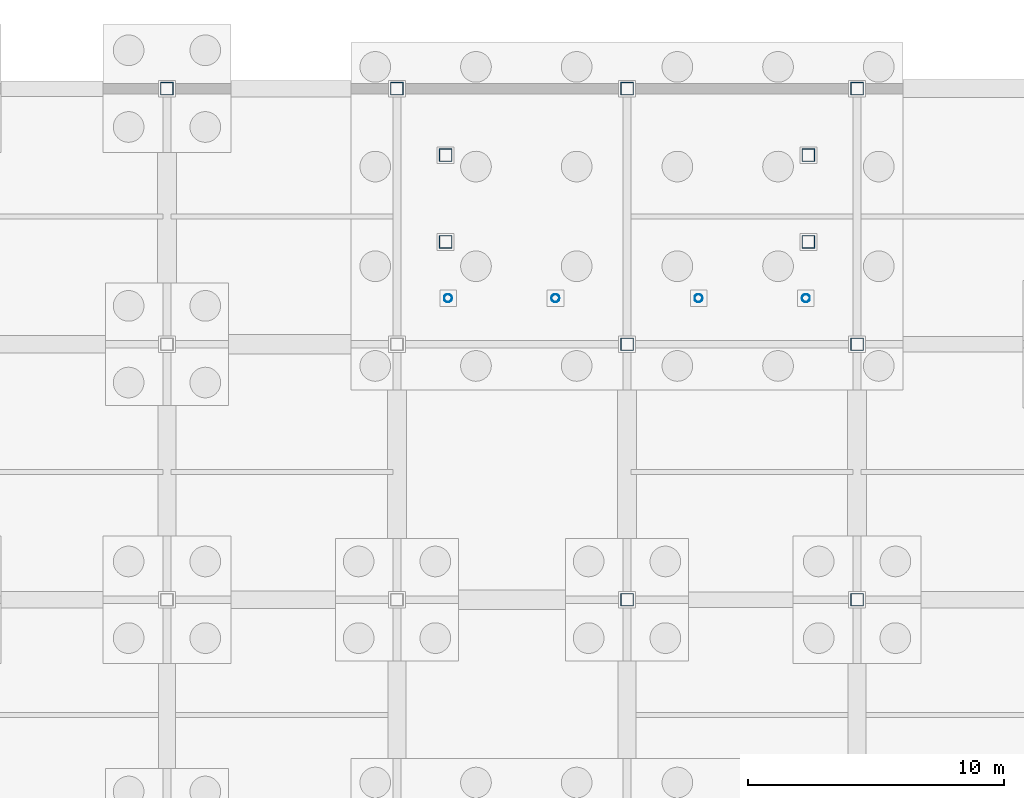
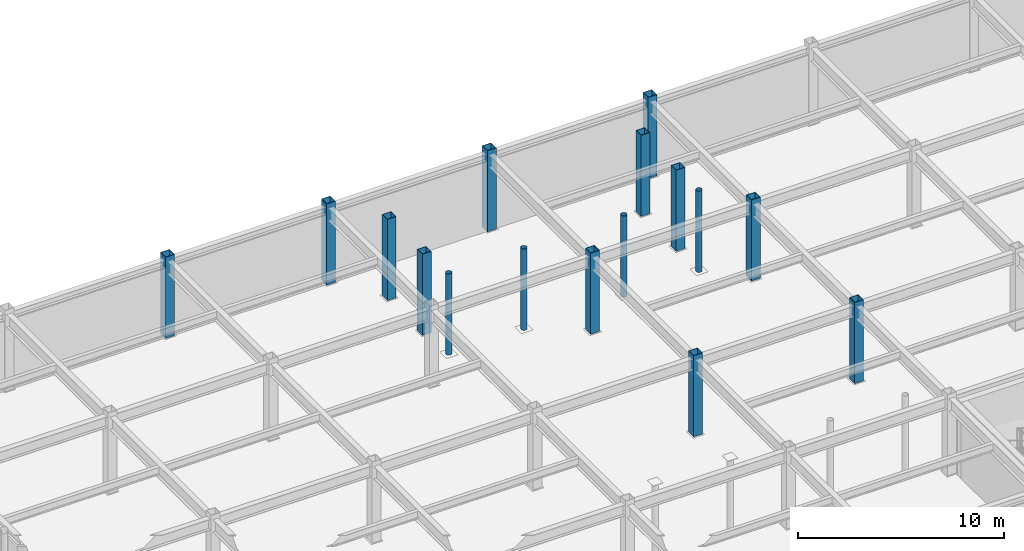
# One storey, part 31 of 74: 16 columns.
"""IFC4 building model written with IfcOpenShell, lengths in metres."""

from ifc_helpers import new_model, si_unit, direction, frame, origin, origin_2d, place, context, subcontext, project, spatial, hollow_rectangle, hollow_circle, extrude, material, material_profile, profile_set, type_object, element, save


model = new_model("IFC4")

# Units and contexts
model_context = context("Model", 3, precision=1e-05, world=origin(), true_north=direction((0.0, 1.0)))
body_context = subcontext(model_context, "Body", "Model", "MODEL_VIEW")
ifc_project = project(units=[si_unit("LENGTHUNIT", "METRE"), si_unit("AREAUNIT", "SQUARE_METRE"), si_unit("VOLUMEUNIT", "CUBIC_METRE"), si_unit("PLANEANGLEUNIT", "RADIAN"), si_unit("MASSUNIT", "GRAM", prefix="KILO")], contexts=[model_context])

# Site, building, storey
site_placement = place(None, origin())
site = spatial("IfcSite", under=ifc_project, at=site_placement, CompositionType="ELEMENT")
building_placement = place(site_placement, origin())
building = spatial("IfcBuilding", under=site, at=building_placement, Name="Suzunagisa Mobility Hub", CompositionType="ELEMENT")
storey_placement = place(building_placement, frame((0.0, 0.0, -4.800048828125)))
storey = spatial("IfcBuildingStorey", under=building, at=storey_placement, Name="B1", CompositionType="ELEMENT", Elevation=-4.800048828125)

# Columns
ifc_material = material(Name="Steel SN490B", Category="steel")
ifc_material_profile_1 = material_profile(ifc_material, hollow_circle(Radius=0.1591796875, WallThickness=0.01025390625, at=origin_2d()), Name="CHS-318.5x10.3")
ifc_profile_set_1 = profile_set([ifc_material_profile_1], Name="Steel SN490B")
column_type_1 = type_object("IfcColumnType", Name="Steel Column CL-09 CHS-318.5x10.3", PredefinedType="COLUMN", material=ifc_profile_set_1)
for number, where, z_axis, x_axis, name in (
    (1, (74.0, 109.800048828125, 0.0), (0.0, 0.0, 1.0), (1.0, 0.0, 0.0), "B1 Column 162"),
    (2, (78.199951171875, 109.800048828125, 0.0), (0.0, 0.0, 1.0), (1.0, 0.0, 0.0), "B1 Column 164"),
    (3, (83.800048828125, 109.800048828125, 0.0), (0.0, 0.0, 1.0), (1.0, 0.0, 0.0), "B1 Column 177"),
    (4, (88.0, 109.800048828125, 0.0), (0.0, 0.0, 1.0), (1.0, 0.0, 0.0), "B1 Column 179"),
):
    element("IfcColumn", number, at=place(storey_placement, frame(where, z_axis=z_axis, x_axis=x_axis)), inside=storey, type_object=column_type_1, Name=name, PredefinedType="COLUMN", context=body_context, shape_type="SweptSolid", body=[
        extrude(hollow_circle(Radius=0.1591796875, WallThickness=0.01025390625, at=origin_2d()), origin(), (0.0, 0.0, 1.0), 4.800048828125),
    ])
ifc_material_profile_2 = material_profile(ifc_material, hollow_rectangle(XDim=0.5, YDim=0.5, WallThickness=0.02490234375, at=origin_2d()), Name="BCR-500x500x25")
ifc_profile_set_2 = profile_set([ifc_material_profile_2], Name="Steel SN490B")
column_type_2 = type_object("IfcColumnType", Name="Steel Column CL-11 BCR-500x500x25", PredefinedType="COLUMN", material=ifc_profile_set_2)
for number, where, z_axis, x_axis, name in (
    (5, (63.0, 118.0, 0.0), (0.0, 0.0, 1.0), (1.0, 0.0, 0.0), "B1 Column 142"),
    (6, (72.0, 118.0, 0.0), (0.0, 0.0, 1.0), (1.0, 0.0, 0.0), "B1 Column 158"),
    (7, (73.89990234375, 112.0, 0.0), (0.0, 0.0, 1.0), (1.0, 0.0, 0.0), "B1 Column 159"),
    (8, (73.89990234375, 115.39990234375, 0.0), (0.0, 0.0, 1.0), (1.0, 0.0, 0.0), "B1 Column 160"),
    (9, (81.0, 98.0, 0.0), (0.0, 0.0, 1.0), (1.0, 0.0, 0.0), "B1 Column 173"),
    (10, (81.0, 108.0, 0.0), (0.0, 0.0, 1.0), (1.0, 0.0, 0.0), "B1 Column 174"),
    (11, (81.0, 118.0, 0.0), (0.0, 0.0, 1.0), (1.0, 0.0, 0.0), "B1 Column 175"),
    (12, (88.10009765625, 112.0, 0.0), (0.0, 0.0, 1.0), (1.0, 0.0, 0.0), "B1 Column 180"),
    (13, (88.10009765625, 115.39990234375, 0.0), (0.0, 0.0, 1.0), (1.0, 0.0, 0.0), "B1 Column 181"),
    (14, (90.0, 98.0, 0.0), (0.0, 0.0, 1.0), (1.0, 0.0, 0.0), "B1 Column 188"),
    (15, (90.0, 108.0, 0.0), (0.0, 0.0, 1.0), (1.0, 0.0, 0.0), "B1 Column 189"),
    (16, (90.0, 118.0, 0.0), (0.0, 0.0, 1.0), (1.0, 0.0, 0.0), "B1 Column 190"),
):
    element("IfcColumn", number, at=place(storey_placement, frame(where, z_axis=z_axis, x_axis=x_axis)), inside=storey, type_object=column_type_2, Name=name, PredefinedType="COLUMN", context=body_context, shape_type="SweptSolid", body=[
        extrude(hollow_rectangle(XDim=0.5, YDim=0.5, WallThickness=0.02490234375, at=origin_2d()), origin(), (0.0, 0.0, 1.0), 4.800048828125),
    ])

save(model, "model.ifc")
